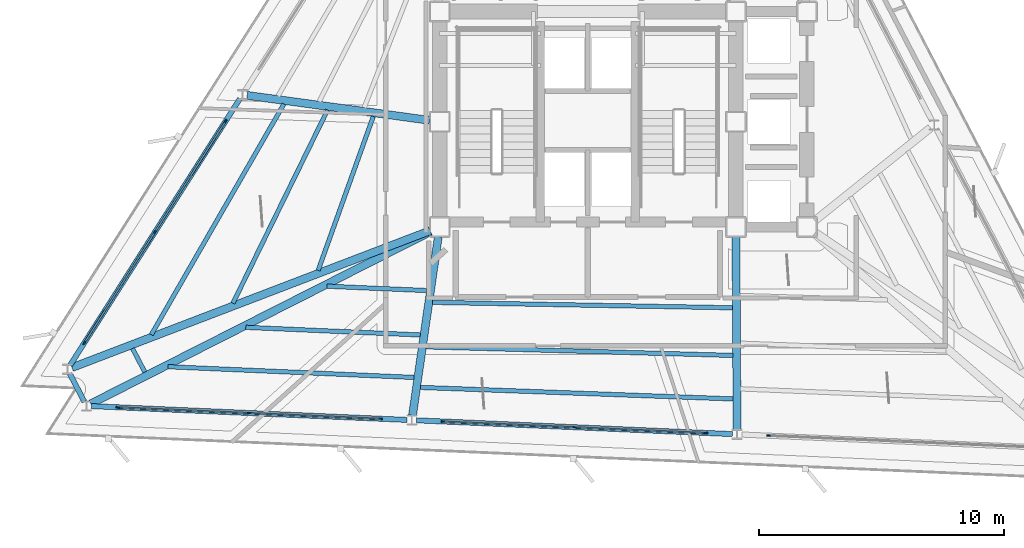
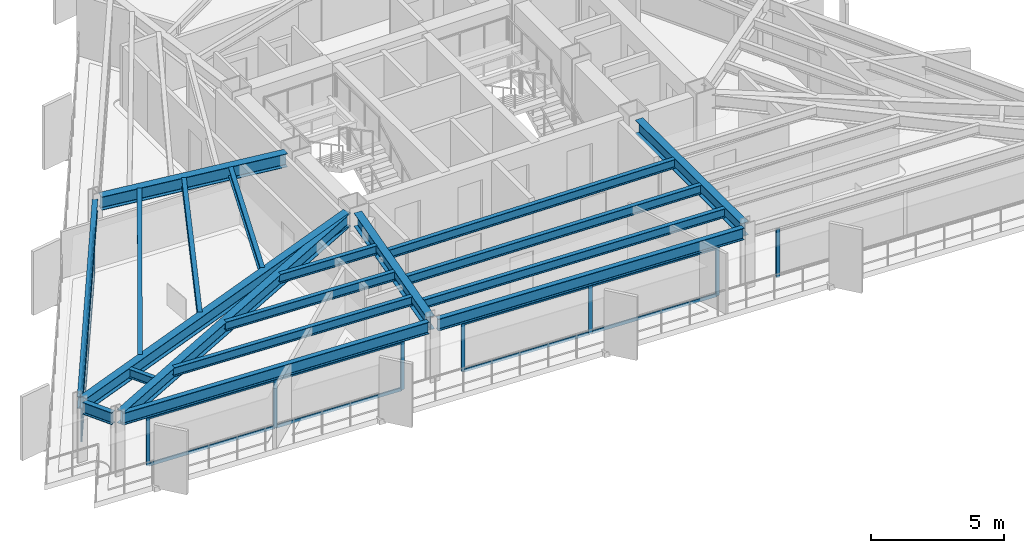
# One storey, part 2 of 12: 22 members, 19 beams, 4 elements without a shape of their own.
"""IFC4 building model written with IfcOpenShell, lengths in metres."""

import ifcopenshell
import ifcopenshell.guid

model = None  # the IFC model being written
_history = None  # IfcOwnerHistory: only IFC2X3 demands one
_inside = {}  # id of a spatial element -> (the spatial element, [elements in it])
_under = {}  # id of a project, library or spatial element -> (it, [spatial elements below it])
_declared = {}  # id of a project -> (the project, [libraries it declares])
_typed = {}  # id of a type object -> (the type object, [elements of that type])
_made_of = {}  # id of a material, layer set ... -> (it, [elements and type objects made of it])


def new_model(schema):
    """Start an empty IFC model of exactly this schema.

    Asked for "IFC4X3", IfcOpenShell would pick the latest addendum, in which some entities
    have other attributes; the version numbers below select the first issue.
    IFC2X3 requires an IfcOwnerHistory on every rooted entity: one is made here for all.
    """
    global model, _history
    if schema == "IFC4X3":
        model = ifcopenshell.file(schema_version=(4, 3, 0, 0))
    else:
        model = ifcopenshell.file(schema=schema)
    _inside.clear()
    _under.clear()
    _declared.clear()
    _typed.clear()
    _made_of.clear()
    _history = None
    if model.schema == "IFC2X3":
        org = make("IfcOrganization", Name="unknown")
        user = make(
            "IfcPersonAndOrganization",
            ThePerson=make("IfcPerson", FamilyName="unknown"),
            TheOrganization=org,
        )
        app = make(
            "IfcApplication",
            ApplicationDeveloper=org,
            Version="unknown",
            ApplicationFullName="unknown",
            ApplicationIdentifier="unknown",
        )
        _history = make(
            "IfcOwnerHistory",
            OwningUser=user,
            OwningApplication=app,
            ChangeAction="ADDED",
            CreationDate=0,
        )
    return model


def make(cls, **values):
    """One entity of the class cls with the attributes given. An attribute that is None is left unset."""
    return model.create_entity(
        cls, **{name: value for name, value in values.items() if value is not None}
    )


def rooted(cls, **values):
    """An entity with a GlobalId (a new one), such as an element, a storey or a relation."""
    return make(cls, GlobalId=ifcopenshell.guid.new(), OwnerHistory=_history, **values)


def si_unit(unit_type, name, prefix=None):
    """IfcSIUnit, for example si_unit("LENGTHUNIT", "METRE", prefix="MILLI")."""
    return make("IfcSIUnit", UnitType=unit_type, Prefix=prefix, Name=name)


def assignment(units):
    """IfcUnitAssignment: the units of a project."""
    return None if units is None else make("IfcUnitAssignment", Units=units)


def point(xyz):
    """IfcCartesianPoint."""
    return None if xyz is None else make("IfcCartesianPoint", Coordinates=xyz)


def direction(xyz):
    """IfcDirection."""
    return None if xyz is None else make("IfcDirection", DirectionRatios=xyz)


def frame(location, z_axis=None, x_axis=None):
    """IfcAxis2Placement3D, a coordinate frame: its origin and axes. An axis left out is left unset."""
    return make(
        "IfcAxis2Placement3D",
        Location=point(location),
        Axis=direction(z_axis),
        RefDirection=direction(x_axis),
    )


def frame_2d(location, x_axis=None):
    """IfcAxis2Placement2D, a coordinate frame in the plane: its origin and x axis."""
    return make(
        "IfcAxis2Placement2D", Location=point(location), RefDirection=direction(x_axis)
    )


def origin():
    """The frame at (0, 0, 0) with its axes left unset."""
    return frame((0.0, 0.0, 0.0))


def origin_2d():
    """The frame at (0, 0) in the plane with its x axis left unset."""
    return frame_2d((0.0, 0.0))


def place(relative_to, where):
    """IfcLocalPlacement: puts the frame where relative to a parent placement (None: the world)."""
    return make(
        "IfcLocalPlacement", PlacementRelTo=relative_to, RelativePlacement=where
    )


def context(
    kind, dimensions, precision=None, world=None, true_north=None, identifier=None
):
    """IfcGeometricRepresentationContext, for example the 3D "Model" context."""
    return make(
        "IfcGeometricRepresentationContext",
        ContextIdentifier=identifier,
        ContextType=kind,
        CoordinateSpaceDimension=dimensions,
        Precision=precision,
        WorldCoordinateSystem=world,
        TrueNorth=true_north,
    )


def subcontext(parent, identifier, kind, view, scale=None):
    """IfcGeometricRepresentationSubContext, for example "Body" below "Model"."""
    return make(
        "IfcGeometricRepresentationSubContext",
        ContextIdentifier=identifier,
        ContextType=kind,
        ParentContext=parent,
        TargetScale=scale,
        TargetView=view,
    )


def project(units=None, contexts=None):
    """IfcProject with its units and contexts."""
    return rooted(
        "IfcProject",
        Name="project",
        RepresentationContexts=contexts,
        UnitsInContext=assignment(units),
    )


def spatial(cls, under=None, at=None, **own):
    """A site, building, storey or space (cls), placed at a placement, below another one or the project."""
    s = rooted(cls, ObjectPlacement=at, **own)
    if under is not None:
        _under.setdefault(under.id(), (under, []))[1].append(s)
    return s


def profile(cls, at=None, kind="AREA", **sizes):
    """A parametric profile (cls). Its sizes go by their IFC names, for example OverallWidth=200.0."""
    return make(cls, ProfileType=kind, Position=at, **sizes)


def rectangle(**sizes):
    """IfcRectangleProfileDef."""
    return profile("IfcRectangleProfileDef", **sizes)


def i_section(**sizes):
    """IfcIShapeProfileDef."""
    return profile("IfcIShapeProfileDef", **sizes)


def extrude(swept, where, along, depth):
    """IfcExtrudedAreaSolid: the profile swept, set in the frame where, extruded along a direction by depth."""
    return make(
        "IfcExtrudedAreaSolid",
        SweptArea=swept,
        Position=where,
        ExtrudedDirection=direction(along),
        Depth=depth,
    )


def shape(context_of_items, identifier, shape_type, items):
    """IfcShapeRepresentation: the items that make up one representation, for example the "Body"."""
    return make(
        "IfcShapeRepresentation",
        ContextOfItems=context_of_items,
        RepresentationIdentifier=identifier,
        RepresentationType=shape_type,
        Items=items,
    )


def material(Name=None, Category=None):
    """IfcMaterial."""
    return make("IfcMaterial", Name=Name, Category=Category)


def layer(
    of_material, thickness, ventilated=None, Name=None, Category=None, Priority=None
):
    """IfcMaterialLayer: one layer of a wall or slab, of a material (None: an air gap)."""
    return make(
        "IfcMaterialLayer",
        Material=of_material,
        LayerThickness=thickness,
        IsVentilated=ventilated,
        Name=Name,
        Category=Category,
        Priority=Priority,
    )


def layer_set(layers, Name=None):
    """IfcMaterialLayerSet."""
    return make("IfcMaterialLayerSet", MaterialLayers=layers, LayerSetName=Name)


def material_profile(
    of_material, cross_section, Name=None, Category=None, Priority=None
):
    """IfcMaterialProfile: a cross section and its material."""
    return make(
        "IfcMaterialProfile",
        Name=Name,
        Material=of_material,
        Profile=cross_section,
        Priority=Priority,
        Category=Category,
    )


def profile_set(profiles, Name=None, composite=None):
    """IfcMaterialProfileSet."""
    return make(
        "IfcMaterialProfileSet",
        Name=Name,
        MaterialProfiles=profiles,
        CompositeProfile=composite,
    )


def made_of(thing, what):
    """Note that an element or type object is made of a material, layer set ...; save() writes the relation."""
    if what is not None:
        _made_of.setdefault(what.id(), (what, []))[1].append(thing)
    return thing


def type_object(cls, material=None, **own):
    """A type object (cls), such as IfcWallType, which elements share."""
    return made_of(rooted(cls, **own), material)


def element(
    cls,
    number,
    at=None,
    inside=None,
    cuts=None,
    type_object=None,
    material=None,
    context=None,
    identifier="Body",
    shape_type=None,
    held_by="IfcProductDefinitionShape",
    body=None,
    shapes=None,
    **own,
):
    """One element of the class cls, such as IfcWall. Its Tag is "e" and its number.

    at: its placement. inside: the storey or other place that contains it. cuts: it is an
    opening in that element (IfcRelVoidsElement). A single representation is given by context,
    identifier, shape_type and body (its items); several are given by shapes. held_by: the class
    of the entity that holds the representations. save() writes the other relations.
    """
    e = rooted(cls, Tag="e%d" % number, ObjectPlacement=at, **own)
    if body is not None:
        shapes = [shape(context, identifier, shape_type, body)]
    if shapes is not None:
        e.Representation = make(held_by, Representations=shapes)
    if inside is not None:
        _inside.setdefault(inside.id(), (inside, []))[1].append(e)
    if cuts is not None:
        rooted(
            "IfcRelVoidsElement", RelatingBuildingElement=cuts, RelatedOpeningElement=e
        )
    if type_object is not None:
        _typed.setdefault(type_object.id(), (type_object, []))[1].append(e)
    return made_of(e, material)


def aggregate(whole, parts):
    """IfcRelAggregates: a whole, such as a stair, and the parts it consists of."""
    return rooted("IfcRelAggregates", RelatingObject=whole, RelatedObjects=parts)


def save(model, path):
    """Write the relations noted so far, then the file.

    IfcRelAggregates (storeys below a building ...), IfcRelContainedInSpatialStructure (elements
    in a storey), IfcRelDefinesByType, IfcRelAssociatesMaterial and IfcRelDeclares: one each for
    every whole, place, type object, material and project.
    """
    for whole, parts in _under.values():
        aggregate(whole, parts)
    for where, things in _inside.values():
        rooted(
            "IfcRelContainedInSpatialStructure",
            RelatedElements=things,
            RelatingStructure=where,
        )
    for kind, things in _typed.values():
        rooted("IfcRelDefinesByType", RelatedObjects=things, RelatingType=kind)
    for what, things in _made_of.values():
        rooted("IfcRelAssociatesMaterial", RelatedObjects=things, RelatingMaterial=what)
    for by, libraries in _declared.values():
        rooted("IfcRelDeclares", RelatingContext=by, RelatedDefinitions=libraries)
    model.write(path)


model = new_model("IFC4")

# Units and contexts
model_context = context("Model", 3, precision=1e-05, world=origin(), true_north=direction((0.0, 1.0)))
body_context = subcontext(model_context, "Body", "Model", "MODEL_VIEW")
ifc_project = project(units=[si_unit("LENGTHUNIT", "METRE"), si_unit("AREAUNIT", "SQUARE_METRE"), si_unit("VOLUMEUNIT", "CUBIC_METRE"), si_unit("PLANEANGLEUNIT", "RADIAN"), si_unit("MASSUNIT", "GRAM", prefix="KILO")], contexts=[model_context])

# Site, building, storey
site_placement = place(None, origin())
site = spatial("IfcSite", under=ifc_project, at=site_placement, CompositionType="ELEMENT")
building_placement = place(site_placement, origin())
building = spatial("IfcBuilding", under=site, at=building_placement, Name="Rocaltana Carrier Exchange", CompositionType="ELEMENT")
storey_placement = place(building_placement, frame((0.0, 0.0, 135.0400390625)))
storey = spatial("IfcBuildingStorey", under=building, at=storey_placement, Name="L42", CompositionType="ELEMENT", Elevation=135.0400390625)

# Curtain wall, members
ifc_material_1 = material(Name="Aluminium 6063-T6", Category="aluminium")
ifc_layer = layer(ifc_material_1, 0.14990234375)
ifc_layer_set = layer_set([ifc_layer], Name="Aluminium 6063-T6")
curtain_wall_type = type_object("IfcCurtainWallType", Name="Mid-Tower Unitised Curtain Wall CW-03", PredefinedType="NOTDEFINED", material=ifc_layer_set)
curtain_wall_1_placement = place(storey_placement, origin())
curtain_wall_1 = element("IfcCurtainWall", 1, at=curtain_wall_1_placement, inside=storey, type_object=curtain_wall_type, Name="L42 CW-03 Run CW-L42-F2S3", PredefinedType="NOTDEFINED")
ifc_material_2 = material(Name="Aluminium 6063-T6", Category="aluminium")
ifc_material_profile_1 = material_profile(ifc_material_2, rectangle(XDim=0.06005859375, YDim=0.14990234375, at=origin_2d()), Name="AL-60X150")
ifc_profile_set_1 = profile_set([ifc_material_profile_1], Name="Aluminium 6063-T6")
member_type_1 = type_object("IfcMemberType", Name="CW-03 Mullion AL-60X150", PredefinedType="MULLION", material=ifc_profile_set_1)
member_1_placement = place(storey_placement, frame((-14.79541015625, 0.023193359375, 0.0), z_axis=(0.0, 0.0, 1.0), x_axis=(0.843390685726, -0.537300801443, 0.0)))
member_1 = element("IfcMember", 2, at=member_1_placement, type_object=member_type_1, Name="CW-03 mullion 1", PredefinedType="MULLION", context=body_context, shape_type="SweptSolid", body=[
    extrude(rectangle(XDim=0.06005859375, YDim=0.14990234375, at=origin_2d()), origin(), (0.0, 0.0, 1.0), 2.218017578125),
])
member_2_placement = place(storey_placement, frame((-17.680908203125, -4.505859375, 0.0), z_axis=(0.0, 0.0, 1.0), x_axis=(0.843390685726, -0.537300801443, 0.0)))
member_2 = element("IfcMember", 3, at=member_2_placement, type_object=member_type_1, Name="CW-03 mullion 2", PredefinedType="MULLION", context=body_context, shape_type="SweptSolid", body=[
    extrude(rectangle(XDim=0.06005859375, YDim=0.14990234375, at=origin_2d()), origin(), (0.0, 0.0, 1.0), 2.218017578125),
])
member_3_placement = place(storey_placement, frame((-20.566162109375, -9.034912109375, 0.0), z_axis=(0.0, 0.0, 1.0), x_axis=(0.843390685726, -0.537300801443, 0.0)))
member_3 = element("IfcMember", 4, at=member_3_placement, type_object=member_type_1, Name="CW-03 mullion 3", PredefinedType="MULLION", context=body_context, shape_type="SweptSolid", body=[
    extrude(rectangle(XDim=0.06005859375, YDim=0.14990234375, at=origin_2d()), origin(), (0.0, 0.0, 1.0), 2.218017578125),
])

curtain_wall_2_placement = place(storey_placement, origin())
curtain_wall_2 = element("IfcCurtainWall", 5, at=curtain_wall_2_placement, inside=storey, type_object=curtain_wall_type, Name="L42 CW-03 Run CW-L42-F3S1", PredefinedType="NOTDEFINED")
member_4_placement = place(storey_placement, frame((-19.197021484375, -11.66455078125, 0.0), z_axis=(0.0, 0.0, 1.0), x_axis=(0.043629290456, 0.999047789154, 0.0)))
member_4 = element("IfcMember", 6, at=member_4_placement, type_object=member_type_1, Name="CW-03 mullion 1", PredefinedType="MULLION", context=body_context, shape_type="SweptSolid", body=[
    extrude(rectangle(XDim=0.06005859375, YDim=0.14990234375, at=origin_2d()), origin(), (0.0, 0.0, 1.0), 2.218017578125),
])
member_5_placement = place(storey_placement, frame((-13.832275390625, -11.89892578125, 0.0), z_axis=(0.0, 0.0, 1.0), x_axis=(0.043629290456, 0.999047789154, 0.0)))
member_5 = element("IfcMember", 7, at=member_5_placement, type_object=member_type_1, Name="CW-03 mullion 2", PredefinedType="MULLION", context=body_context, shape_type="SweptSolid", body=[
    extrude(rectangle(XDim=0.06005859375, YDim=0.14990234375, at=origin_2d()), origin(), (0.0, 0.0, 1.0), 2.218017578125),
])
member_6_placement = place(storey_placement, frame((-8.46728515625, -12.13330078125, 0.0), z_axis=(0.0, 0.0, 1.0), x_axis=(0.043629290456, 0.999047789154, 0.0)))
member_6 = element("IfcMember", 8, at=member_6_placement, type_object=member_type_1, Name="CW-03 mullion 3", PredefinedType="MULLION", context=body_context, shape_type="SweptSolid", body=[
    extrude(rectangle(XDim=0.06005859375, YDim=0.14990234375, at=origin_2d()), origin(), (0.0, 0.0, 1.0), 2.218017578125),
])

curtain_wall_3_placement = place(storey_placement, origin())
curtain_wall_3 = element("IfcCurtainWall", 9, at=curtain_wall_3_placement, inside=storey, type_object=curtain_wall_type, Name="L42 CW-03 Run CW-L42-F3S2", PredefinedType="NOTDEFINED")
member_7_placement = place(storey_placement, frame((-5.90966796875, -12.244873046875, 0.0), z_axis=(0.0, 0.0, 1.0), x_axis=(0.043620452398, 0.999048175081, 0.0)))
member_7 = element("IfcMember", 10, at=member_7_placement, type_object=member_type_1, Name="CW-03 mullion 1", PredefinedType="MULLION", context=body_context, shape_type="SweptSolid", body=[
    extrude(rectangle(XDim=0.06005859375, YDim=0.14990234375, at=origin_2d()), origin(), (0.0, 0.0, 1.0), 2.218017578125),
])
member_8_placement = place(storey_placement, frame((-0.544921875, -12.47900390625, 0.0), z_axis=(0.0, 0.0, 1.0), x_axis=(0.043620452398, 0.999048175081, 0.0)))
member_8 = element("IfcMember", 11, at=member_8_placement, type_object=member_type_1, Name="CW-03 mullion 2", PredefinedType="MULLION", context=body_context, shape_type="SweptSolid", body=[
    extrude(rectangle(XDim=0.06005859375, YDim=0.14990234375, at=origin_2d()), origin(), (0.0, 0.0, 1.0), 2.218017578125),
])
member_9_placement = place(storey_placement, frame((4.820068359375, -12.71337890625, 0.0), z_axis=(0.0, 0.0, 1.0), x_axis=(0.043620452398, 0.999048175081, 0.0)))
member_9 = element("IfcMember", 12, at=member_9_placement, type_object=member_type_1, Name="CW-03 mullion 3", PredefinedType="MULLION", context=body_context, shape_type="SweptSolid", body=[
    extrude(rectangle(XDim=0.06005859375, YDim=0.14990234375, at=origin_2d()), origin(), (0.0, 0.0, 1.0), 2.218017578125),
])

# Curtain wall, member
curtain_wall_4_placement = place(storey_placement, origin())
curtain_wall_4 = element("IfcCurtainWall", 13, at=curtain_wall_4_placement, inside=storey, type_object=curtain_wall_type, Name="L42 CW-03 Run CW-L42-F3S3", PredefinedType="NOTDEFINED")
member_10_placement = place(storey_placement, frame((7.377685546875, -12.824951171875, 0.0), z_axis=(0.0, 0.0, 1.0), x_axis=(0.043629290456, 0.999047789154, 0.0)))
member_10 = element("IfcMember", 14, at=member_10_placement, type_object=member_type_1, Name="CW-03 mullion 1", PredefinedType="MULLION", context=body_context, shape_type="SweptSolid", body=[
    extrude(rectangle(XDim=0.06005859375, YDim=0.14990234375, at=origin_2d()), origin(), (0.0, 0.0, 1.0), 2.218017578125),
])
aggregate(curtain_wall_4, [member_10])

# Member
ifc_material_3 = material(Name="Aluminium 6063-T6", Category="aluminium")
ifc_material_profile_2 = material_profile(ifc_material_3, rectangle(XDim=0.06005859375, YDim=0.14990234375, at=origin_2d()), Name="AL-60X150")
ifc_profile_set_2 = profile_set([ifc_material_profile_2], Name="Aluminium 6063-T6")
member_type_2 = type_object("IfcMemberType", Name="CW-03 Transom AL-60X150", PredefinedType="USERDEFINED", material=ifc_profile_set_2)
member_11_placement = place(storey_placement, frame((-14.8115234375, -0.001953125, 0.030029296875), z_axis=(-0.537318678484, -0.843379296493, 0.0), x_axis=(0.843379296493, -0.537318678484, 0.0)))
member_11 = element("IfcMember", 15, at=member_11_placement, type_object=member_type_2, Name="CW-03 transom 1.1", ObjectType="TRANSOM", PredefinedType="USERDEFINED", context=body_context, shape_type="SweptSolid", body=[
    extrude(rectangle(XDim=0.06005859375, YDim=0.14990234375, at=origin_2d()), origin(), (0.0, 0.0, 1.0), 5.310302734375),
])

member_12_placement = place(storey_placement, frame((-14.8115234375, -0.001953125, 2.18798828125), z_axis=(-0.537318678484, -0.843379296493, 0.0), x_axis=(0.843379296493, -0.537318678484, 0.0)))
member_12 = element("IfcMember", 16, at=member_12_placement, type_object=member_type_2, Name="CW-03 transom 1.2", ObjectType="TRANSOM", PredefinedType="USERDEFINED", context=body_context, shape_type="SweptSolid", body=[
    extrude(rectangle(XDim=0.06005859375, YDim=0.14990234375, at=origin_2d()), origin(), (0.0, 0.0, 1.0), 5.310302734375),
])

member_13_placement = place(storey_placement, frame((-17.697021484375, -4.531005859375, 0.030029296875), z_axis=(-0.537285975238, -0.843400130906, 0.0), x_axis=(0.843400130906, -0.537285975238, 0.0)))
member_13 = element("IfcMember", 17, at=member_13_placement, type_object=member_type_2, Name="CW-03 transom 2.1", ObjectType="TRANSOM", PredefinedType="USERDEFINED", context=body_context, shape_type="SweptSolid", body=[
    extrude(rectangle(XDim=0.06005859375, YDim=0.14990234375, at=origin_2d()), origin(), (0.0, 0.0, 1.0), 5.31005859375),
])

member_14_placement = place(storey_placement, frame((-17.697021484375, -4.531005859375, 2.18798828125), z_axis=(-0.537285975238, -0.843400130906, 0.0), x_axis=(0.843400130906, -0.537285975238, 0.0)))
member_14 = element("IfcMember", 18, at=member_14_placement, type_object=member_type_2, Name="CW-03 transom 2.2", ObjectType="TRANSOM", PredefinedType="USERDEFINED", context=body_context, shape_type="SweptSolid", body=[
    extrude(rectangle(XDim=0.06005859375, YDim=0.14990234375, at=origin_2d()), origin(), (0.0, 0.0, 1.0), 5.31005859375),
])

aggregate(curtain_wall_1, [member_1, member_2, member_3, member_11, member_12, member_13, member_14])

member_15_placement = place(storey_placement, frame((-19.167236328125, -11.666015625, 0.030029296875), z_axis=(0.999047725225, -0.043630754314, 0.0), x_axis=(0.043630754314, 0.999047725225, 0.0)))
member_15 = element("IfcMember", 19, at=member_15_placement, type_object=member_type_2, Name="CW-03 transom 1.1", ObjectType="TRANSOM", PredefinedType="USERDEFINED", context=body_context, shape_type="SweptSolid", body=[
    extrude(rectangle(XDim=0.06005859375, YDim=0.14990234375, at=origin_2d()), origin(), (0.0, 0.0, 1.0), 5.310302734375),
])

member_16_placement = place(storey_placement, frame((-19.167236328125, -11.666015625, 2.18798828125), z_axis=(0.999047725225, -0.043630754314, 0.0), x_axis=(0.043630754314, 0.999047725225, 0.0)))
member_16 = element("IfcMember", 20, at=member_16_placement, type_object=member_type_2, Name="CW-03 transom 1.2", ObjectType="TRANSOM", PredefinedType="USERDEFINED", context=body_context, shape_type="SweptSolid", body=[
    extrude(rectangle(XDim=0.06005859375, YDim=0.14990234375, at=origin_2d()), origin(), (0.0, 0.0, 1.0), 5.310302734375),
])

member_17_placement = place(storey_placement, frame((-13.80224609375, -11.900146484375, 0.030029296875), z_axis=(0.999047637698, -0.043632758442, 0.0), x_axis=(0.043632758442, 0.999047637698, 0.0)))
member_17 = element("IfcMember", 21, at=member_17_placement, type_object=member_type_2, Name="CW-03 transom 2.1", ObjectType="TRANSOM", PredefinedType="USERDEFINED", context=body_context, shape_type="SweptSolid", body=[
    extrude(rectangle(XDim=0.06005859375, YDim=0.14990234375, at=origin_2d()), origin(), (0.0, 0.0, 1.0), 5.31005859375),
])

member_18_placement = place(storey_placement, frame((-13.80224609375, -11.900146484375, 2.18798828125), z_axis=(0.999047637698, -0.043632758442, 0.0), x_axis=(0.043632758442, 0.999047637698, 0.0)))
member_18 = element("IfcMember", 22, at=member_18_placement, type_object=member_type_2, Name="CW-03 transom 2.2", ObjectType="TRANSOM", PredefinedType="USERDEFINED", context=body_context, shape_type="SweptSolid", body=[
    extrude(rectangle(XDim=0.06005859375, YDim=0.14990234375, at=origin_2d()), origin(), (0.0, 0.0, 1.0), 5.31005859375),
])

aggregate(curtain_wall_2, [member_4, member_5, member_6, member_15, member_16, member_17, member_18])

member_19_placement = place(storey_placement, frame((-5.879638671875, -12.24609375, 0.030029296875), z_axis=(0.999047637698, -0.043632758442, 0.0), x_axis=(0.043632758442, 0.999047637698, 0.0)))
member_19 = element("IfcMember", 23, at=member_19_placement, type_object=member_type_2, Name="CW-03 transom 1.1", ObjectType="TRANSOM", PredefinedType="USERDEFINED", context=body_context, shape_type="SweptSolid", body=[
    extrude(rectangle(XDim=0.06005859375, YDim=0.14990234375, at=origin_2d()), origin(), (0.0, 0.0, 1.0), 5.31005859375),
])

member_20_placement = place(storey_placement, frame((-5.879638671875, -12.24609375, 2.18798828125), z_axis=(0.999047637698, -0.043632758442, 0.0), x_axis=(0.043632758442, 0.999047637698, 0.0)))
member_20 = element("IfcMember", 24, at=member_20_placement, type_object=member_type_2, Name="CW-03 transom 1.2", ObjectType="TRANSOM", PredefinedType="USERDEFINED", context=body_context, shape_type="SweptSolid", body=[
    extrude(rectangle(XDim=0.06005859375, YDim=0.14990234375, at=origin_2d()), origin(), (0.0, 0.0, 1.0), 5.31005859375),
])

member_21_placement = place(storey_placement, frame((-0.514892578125, -12.48046875, 0.030029296875), z_axis=(0.999049640868, -0.04358686822, 0.0), x_axis=(0.04358686822, 0.999049640868, 0.0)))
member_21 = element("IfcMember", 25, at=member_21_placement, type_object=member_type_2, Name="CW-03 transom 2.1", ObjectType="TRANSOM", PredefinedType="USERDEFINED", context=body_context, shape_type="SweptSolid", body=[
    extrude(rectangle(XDim=0.06005859375, YDim=0.14990234375, at=origin_2d()), origin(), (0.0, 0.0, 1.0), 5.31005859375),
])

member_22_placement = place(storey_placement, frame((-0.514892578125, -12.48046875, 2.18798828125), z_axis=(0.999049640868, -0.04358686822, 0.0), x_axis=(0.04358686822, 0.999049640868, 0.0)))
member_22 = element("IfcMember", 26, at=member_22_placement, type_object=member_type_2, Name="CW-03 transom 2.2", ObjectType="TRANSOM", PredefinedType="USERDEFINED", context=body_context, shape_type="SweptSolid", body=[
    extrude(rectangle(XDim=0.06005859375, YDim=0.14990234375, at=origin_2d()), origin(), (0.0, 0.0, 1.0), 5.31005859375),
])

aggregate(curtain_wall_3, [member_7, member_8, member_9, member_19, member_20, member_21, member_22])

# Beams
ifc_material_4 = material(Name="Steel S355", Category="steel")
ifc_material_profile_3 = material_profile(ifc_material_4, i_section(OverallWidth=0.179931640625, OverallDepth=0.4130859375, WebThickness=0.009765625, FlangeThickness=0.01611328125, FilletRadius=0.012939453125, at=origin_2d()), Name="W16X50")
ifc_profile_set_3 = profile_set([ifc_material_profile_3], Name="Steel S355")
beam_type_1 = type_object("IfcBeamType", Name="Floor Joist W16X50", PredefinedType="JOIST", material=ifc_profile_set_3)
beam_1_placement = place(storey_placement, frame((-8.76171875, 0.217041015625, 2.58154296875), z_axis=(-0.33724376494, -0.941417358566, 0.0), x_axis=(0.941417358566, -0.33724376494, 0.0)))
element("IfcBeam", 27, at=beam_1_placement, inside=storey, type_object=beam_type_1, Name="FJ-L42-07-1", PredefinedType="JOIST", context=body_context, shape_type="SweptSolid", body=[
    extrude(i_section(OverallWidth=0.179931640625, OverallDepth=0.4130859375, WebThickness=0.009765625, FlangeThickness=0.01611328125, FilletRadius=0.012939453125, at=origin_2d()), origin(), (0.0, 0.0, 1.0), 6.680419921875),
])
beam_2_placement = place(storey_placement, frame((-10.631103515625, 0.4775390625, 2.58154296875), z_axis=(-0.439708785258, -0.898140403371, 0.0), x_axis=(0.898140403371, -0.439708785258, 0.0)))
element("IfcBeam", 28, at=beam_2_placement, inside=storey, type_object=beam_type_1, Name="FJ-L42-07-2", PredefinedType="JOIST", context=body_context, shape_type="SweptSolid", body=[
    extrude(i_section(OverallWidth=0.179931640625, OverallDepth=0.4130859375, WebThickness=0.009765625, FlangeThickness=0.01611328125, FilletRadius=0.012939453125, at=origin_2d()), origin(), (0.0, 0.0, 1.0), 8.788818359375),
])
beam_3_placement = place(storey_placement, frame((-12.412841796875, 0.724853515625, 2.58154296875), z_axis=(-0.498415428492, -0.866938325742, 0.0), x_axis=(0.866938325742, -0.498415428492, 0.0)))
element("IfcBeam", 29, at=beam_3_placement, inside=storey, type_object=beam_type_1, Name="FJ-L42-07-3", PredefinedType="JOIST", context=body_context, shape_type="SweptSolid", body=[
    extrude(i_section(OverallWidth=0.179931640625, OverallDepth=0.4130859375, WebThickness=0.009765625, FlangeThickness=0.01611328125, FilletRadius=0.012939453125, at=origin_2d()), origin(), (0.0, 0.0, 1.0), 10.871337890625),
])
beam_4_placement = place(storey_placement, frame((-18.59716796875, -9.26416015625, 2.58154296875), z_axis=(0.461805518623, -0.886981207788, 0.0), x_axis=(0.886981207788, 0.461805518623, 0.0)))
element("IfcBeam", 30, at=beam_4_placement, inside=storey, type_object=beam_type_1, Name="FJ-L42-08-3", PredefinedType="JOIST", context=body_context, shape_type="SweptSolid", body=[
    extrude(i_section(OverallWidth=0.179931640625, OverallDepth=0.4130859375, WebThickness=0.009765625, FlangeThickness=0.01611328125, FilletRadius=0.012939453125, at=origin_2d()), origin(), (0.0, 0.0, 1.0), 1.08642578125),
])
beam_5_placement = place(storey_placement, frame((-10.65478515625, -6.71875, 2.58154296875), z_axis=(0.999049367243, -0.043593139496, 0.0), x_axis=(0.043593139496, 0.999049367243, 0.0)))
element("IfcBeam", 31, at=beam_5_placement, inside=storey, type_object=beam_type_1, Name="FJ-L42-09-1", PredefinedType="JOIST", context=body_context, shape_type="SweptSolid", body=[
    extrude(i_section(OverallWidth=0.179931640625, OverallDepth=0.4130859375, WebThickness=0.009765625, FlangeThickness=0.01611328125, FilletRadius=0.012939453125, at=origin_2d()), origin(), (0.0, 0.0, 1.0), 4.0771484375),
])
beam_6_placement = place(storey_placement, frame((-13.97265625, -8.399658203125, 2.58154296875), z_axis=(0.999048136887, -0.043621327164, 0.0), x_axis=(0.043621327164, 0.999048136887, 0.0)))
element("IfcBeam", 32, at=beam_6_placement, inside=storey, type_object=beam_type_1, Name="FJ-L42-09-2", PredefinedType="JOIST", context=body_context, shape_type="SweptSolid", body=[
    extrude(i_section(OverallWidth=0.179931640625, OverallDepth=0.4130859375, WebThickness=0.009765625, FlangeThickness=0.01611328125, FilletRadius=0.012939453125, at=origin_2d()), origin(), (0.0, 0.0, 1.0), 7.135986328125),
])
beam_7_placement = place(storey_placement, frame((-17.146484375, -10.0078125, 2.58154296875), z_axis=(0.999049003147, -0.043601482906, 0.0), x_axis=(0.043601482906, 0.999049003147, 0.0)))
element("IfcBeam", 33, at=beam_7_placement, inside=storey, type_object=beam_type_1, Name="FJ-L42-09-3", PredefinedType="JOIST", context=body_context, shape_type="SweptSolid", body=[
    extrude(i_section(OverallWidth=0.179931640625, OverallDepth=0.4130859375, WebThickness=0.009765625, FlangeThickness=0.01611328125, FilletRadius=0.012939453125, at=origin_2d()), origin(), (0.0, 0.0, 1.0), 10.06201171875),
])
beam_8_placement = place(storey_placement, frame((-6.337890625, -7.37939453125, 2.58154296875), z_axis=(0.999837766755, -0.018012222821, 0.0), x_axis=(0.018012222821, 0.999837766755, 0.0)))
element("IfcBeam", 34, at=beam_8_placement, inside=storey, type_object=beam_type_1, Name="FJ-L42-10-1", PredefinedType="JOIST", context=body_context, shape_type="SweptSolid", body=[
    extrude(i_section(OverallWidth=0.179931640625, OverallDepth=0.4130859375, WebThickness=0.009765625, FlangeThickness=0.01611328125, FilletRadius=0.012939453125, at=origin_2d()), origin(), (0.0, 0.0, 1.0), 12.2529296875),
])
beam_9_placement = place(storey_placement, frame((-6.599853515625, -9.195556640625, 2.58154296875), z_axis=(0.999607887899, -0.028001258015, 0.0), x_axis=(0.028001258015, 0.999607887899, 0.0)))
element("IfcBeam", 35, at=beam_9_placement, inside=storey, type_object=beam_type_1, Name="FJ-L42-10-2", PredefinedType="JOIST", context=body_context, shape_type="SweptSolid", body=[
    extrude(i_section(OverallWidth=0.179931640625, OverallDepth=0.4130859375, WebThickness=0.009765625, FlangeThickness=0.01611328125, FilletRadius=0.012939453125, at=origin_2d()), origin(), (0.0, 0.0, 1.0), 12.529052734375),
])
beam_10_placement = place(storey_placement, frame((-6.839111328125, -10.853515625, 2.58154296875), z_axis=(0.999323856685, -0.036767233503, 0.0), x_axis=(0.036767233503, 0.999323856685, 0.0)))
element("IfcBeam", 36, at=beam_10_placement, inside=storey, type_object=beam_type_1, Name="FJ-L42-10-3", PredefinedType="JOIST", context=body_context, shape_type="SweptSolid", body=[
    extrude(i_section(OverallWidth=0.179931640625, OverallDepth=0.4130859375, WebThickness=0.009765625, FlangeThickness=0.01611328125, FilletRadius=0.012939453125, at=origin_2d()), origin(), (0.0, 0.0, 1.0), 12.7822265625),
])
ifc_material_5 = material(Name="Steel S355", Category="steel")
ifc_material_profile_4 = material_profile(ifc_material_5, i_section(OverallWidth=0.323974609375, OverallDepth=0.611083984375, WebThickness=0.0126953125, FlangeThickness=0.01904296875, FilletRadius=0.01611328125, at=origin_2d()), Name="W24X104")
ifc_profile_set_4 = profile_set([ifc_material_profile_4], Name="Steel S355")
beam_type_2 = type_object("IfcBeamType", Name="Radial Girder W24X104", PredefinedType="BEAM", material=ifc_profile_set_4)
beam_11_placement = place(storey_placement, frame((-6.463134765625, 0.056396484375, 2.482421875), z_axis=(-0.99076030622, 0.13562453915, 0.0), x_axis=(-0.13562453915, -0.99076030622, 0.0)))
element("IfcBeam", 37, at=beam_11_placement, inside=storey, type_object=beam_type_2, Name="RG-L42-07", PredefinedType="BEAM", context=body_context, shape_type="SweptSolid", body=[
    extrude(i_section(OverallWidth=0.323974609375, OverallDepth=0.611083984375, WebThickness=0.0126953125, FlangeThickness=0.01904296875, FilletRadius=0.01611328125, at=origin_2d()), origin(), (0.0, 0.0, 1.0), 7.52099609375),
])
beam_12_placement = place(storey_placement, frame((-6.439453125, -4.448974609375, 2.482421875), z_axis=(-0.934030732637, -0.357192651784, 0.0), x_axis=(0.357192651784, -0.934030732637, 0.0)))
element("IfcBeam", 38, at=beam_12_placement, inside=storey, type_object=beam_type_2, Name="RG-L42-08", PredefinedType="BEAM", context=body_context, shape_type="SweptSolid", body=[
    extrude(i_section(OverallWidth=0.323974609375, OverallDepth=0.611083984375, WebThickness=0.0126953125, FlangeThickness=0.01904296875, FilletRadius=0.01611328125, at=origin_2d()), origin(), (0.0, 0.0, 1.0), 15.665771484375),
])
beam_13_placement = place(storey_placement, frame((-6.422119140625, -4.488525390625, 2.482421875), z_axis=(-0.892042186248, -0.451952141221, 0.0), x_axis=(0.451952141221, -0.892042186248, 0.0)))
element("IfcBeam", 39, at=beam_13_placement, inside=storey, type_object=beam_type_2, Name="RG-L42-09", PredefinedType="BEAM", context=body_context, shape_type="SweptSolid", body=[
    extrude(i_section(OverallWidth=0.323974609375, OverallDepth=0.611083984375, WebThickness=0.0126953125, FlangeThickness=0.01904296875, FilletRadius=0.01611328125, at=origin_2d()), origin(), (0.0, 0.0, 1.0), 15.5595703125),
])
beam_14_placement = place(storey_placement, frame((-6.109619140625, -4.712646484375, 2.482421875), z_axis=(-0.142823907608, -0.989748115136, 0.0), x_axis=(0.989748115136, -0.142823907608, 0.0)))
element("IfcBeam", 40, at=beam_14_placement, inside=storey, type_object=beam_type_2, Name="RG-L42-10", PredefinedType="BEAM", context=body_context, shape_type="SweptSolid", body=[
    extrude(i_section(OverallWidth=0.323974609375, OverallDepth=0.611083984375, WebThickness=0.0126953125, FlangeThickness=0.01904296875, FilletRadius=0.01611328125, at=origin_2d()), origin(), (0.0, 0.0, 1.0), 7.35888671875),
])
beam_15_placement = place(storey_placement, frame((6.052490234375, -4.717041015625, 2.482421875), z_axis=(0.0057482815, -0.999983478493, 0.0), x_axis=(0.999983478493, 0.0057482815, 0.0)))
element("IfcBeam", 41, at=beam_15_placement, inside=storey, type_object=beam_type_2, Name="RG-L42-11", PredefinedType="BEAM", context=body_context, shape_type="SweptSolid", body=[
    extrude(i_section(OverallWidth=0.323974609375, OverallDepth=0.611083984375, WebThickness=0.0126953125, FlangeThickness=0.01904296875, FilletRadius=0.01611328125, at=origin_2d()), origin(), (0.0, 0.0, 1.0), 7.857421875),
])
ifc_material_6 = material(Name="Steel S355", Category="steel")
ifc_material_profile_5 = material_profile(ifc_material_6, i_section(OverallWidth=0.2119140625, OverallDepth=0.5439453125, WebThickness=0.01318359375, FlangeThickness=0.021240234375, FilletRadius=0.014892578125, at=origin_2d()), Name="W21X83")
ifc_profile_set_5 = profile_set([ifc_material_profile_5], Name="Steel S355")
beam_type_3 = type_object("IfcBeamType", Name="Spandrel Edge Beam W21X83", PredefinedType="SPANDREL", material=ifc_profile_set_5)
beam_16_placement = place(storey_placement, frame((-14.212646484375, 0.938232421875, 2.515869140625), z_axis=(-0.53730737778, -0.843386496088, 0.0), x_axis=(0.843386496088, -0.53730737778, 0.0)))
element("IfcBeam", 42, at=beam_16_placement, inside=storey, type_object=beam_type_3, Name="SP-L42-07", PredefinedType="SPANDREL", context=body_context, shape_type="SweptSolid", body=[
    extrude(i_section(OverallWidth=0.2119140625, OverallDepth=0.5439453125, WebThickness=0.01318359375, FlangeThickness=0.021240234375, FilletRadius=0.014892578125, at=origin_2d()), origin(), (0.0, 0.0, 1.0), 12.90966796875),
])
beam_17_placement = place(storey_placement, frame((-21.163818359375, -10.287353515625, 2.515869140625), z_axis=(0.461786087102, -0.886991324512, 0.0), x_axis=(0.886991324512, 0.461786087102, 0.0)))
element("IfcBeam", 43, at=beam_17_placement, inside=storey, type_object=beam_type_3, Name="SP-L42-08", PredefinedType="SPANDREL", context=body_context, shape_type="SweptSolid", body=[
    extrude(i_section(OverallWidth=0.2119140625, OverallDepth=0.5439453125, WebThickness=0.01318359375, FlangeThickness=0.021240234375, FilletRadius=0.014892578125, at=origin_2d()), origin(), (0.0, 0.0, 1.0), 1.294677734375),
])
for number, where, z_axis, x_axis, name in (
    (44, (-20.281005859375, -11.6171875, 2.515869140625), (0.999047862202, -0.04362761775, 0.0), (0.04362761775, 0.999047862202, 0.0), "SP-L42-09"),
    (45, (-6.99365234375, -12.197509765625, 2.515869140625), (0.999048686279, -0.043608742747, 0.0), (0.043608742747, 0.999048686279, 0.0), "SP-L42-10"),
):
    element("IfcBeam", number, at=place(storey_placement, frame(where, z_axis=z_axis, x_axis=x_axis)), inside=storey, type_object=beam_type_3, Name=name, PredefinedType="SPANDREL", context=body_context, shape_type="SweptSolid", body=[
        extrude(i_section(OverallWidth=0.2119140625, OverallDepth=0.5439453125, WebThickness=0.01318359375, FlangeThickness=0.021240234375, FilletRadius=0.014892578125, at=origin_2d()), origin(), (0.0, 0.0, 1.0), 12.909912109375),
    ])

save(model, "model.ifc")
